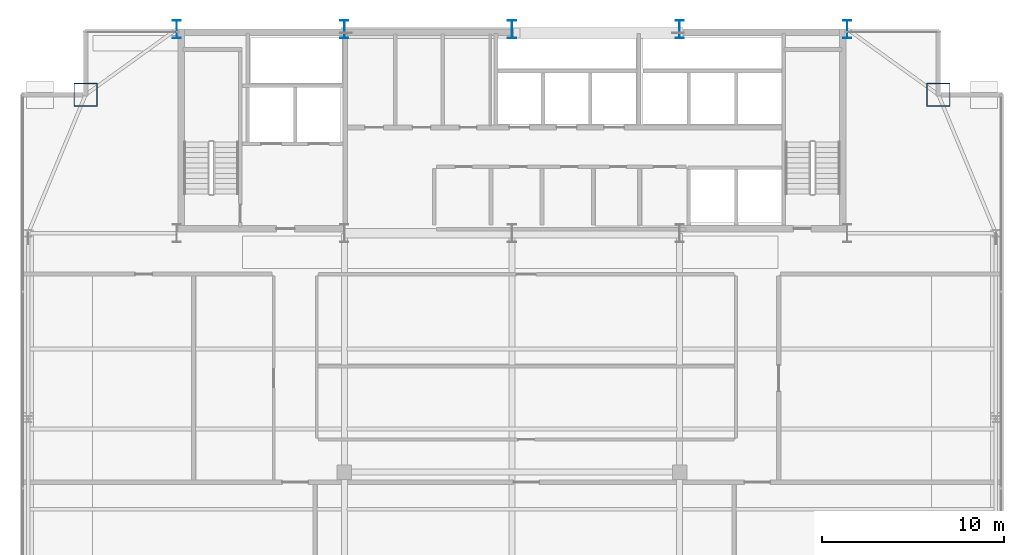
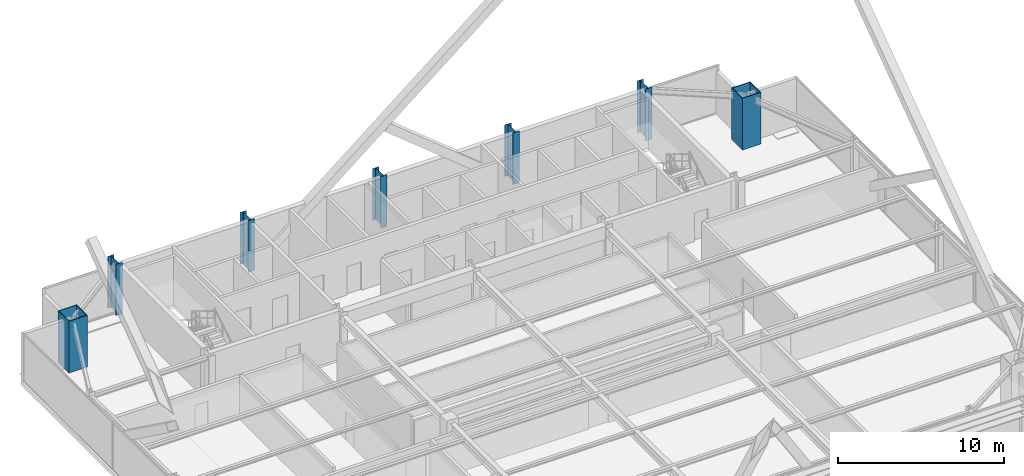
# One storey, part 3 of 33: 7 columns.
"""IFC4 building model written with IfcOpenShell, lengths in metres."""

from ifc_helpers import new_model, si_unit, direction, frame, origin, origin_2d, place, context, subcontext, project, spatial, hollow_rectangle, i_section, extrude, source, transform, mapped, material, material_profile, profile_set, type_object, type_shapes, element, save


model = new_model("IFC4")

# Units and contexts
model_context = context("Model", 3, precision=1e-05, world=origin(), true_north=direction((0.0, 1.0)))
body_context = subcontext(model_context, "Body", "Model", "MODEL_VIEW")
ifc_project = project(units=[si_unit("LENGTHUNIT", "METRE"), si_unit("AREAUNIT", "SQUARE_METRE"), si_unit("VOLUMEUNIT", "CUBIC_METRE"), si_unit("PLANEANGLEUNIT", "RADIAN"), si_unit("MASSUNIT", "GRAM", prefix="KILO")], contexts=[model_context])

# Site, building, storey
site_placement = place(None, origin())
site = spatial("IfcSite", under=ifc_project, at=site_placement, CompositionType="ELEMENT")
building_placement = place(site_placement, origin())
building = spatial("IfcBuilding", under=site, at=building_placement, Name="Varnel Quay Broadcast Tower", CompositionType="ELEMENT")
storey_placement = place(building_placement, frame((0.0, 0.0, 145.800048828125)))
storey = spatial("IfcBuildingStorey", under=building, at=storey_placement, Name="L35", CompositionType="ELEMENT", Elevation=145.800048828125)

# Columns
ifc_material = material(Name="Structural Steel CSA G40.21 350WT", Category="steel")
ifc_material_profile_1 = material_profile(ifc_material, i_section(OverallWidth=0.449951171875, OverallDepth=1.0, WebThickness=0.01611328125, FlangeThickness=0.030029296875, FilletRadius=0.01611328125, at=origin_2d()), Name="WWF1000X362")
ifc_profile_set_1 = profile_set([ifc_material_profile_1], Name="Structural Steel CSA G40.21 350WT")
column_type_1 = type_object("IfcColumnType", Name="Col_WWF1000X362", PredefinedType="COLUMN", material=ifc_profile_set_1)
shared_shape_1 = source(origin(), body_context, "Body", "SweptSolid", [
    extrude(i_section(OverallWidth=0.449951171875, OverallDepth=1.0, WebThickness=0.01611328125, FlangeThickness=0.030029296875, FilletRadius=0.01611328125, at=origin_2d()), origin(), (0.0, 0.0, 1.0), 3.800048828125),
])
type_shapes(column_type_1, [shared_shape_1])
for number, where, z_axis, x_axis, name in (
    (1, (15.60009765625, 46.800048828125, 0.0), (0.0, 0.0, 1.0), (1.0, 0.0, 0.0), "L35 Column CC-N1"),
    (2, (24.800048828125, 46.800048828125, 0.0), (0.0, 0.0, 1.0), (1.0, 0.0, 0.0), "L35 Column CC-N2"),
    (3, (34.0, 46.800048828125, 0.0), (0.0, 0.0, 1.0), (1.0, 0.0, 0.0), "L35 Column CC-N3"),
    (4, (43.199951171875, 46.800048828125, 0.0), (0.0, 0.0, 1.0), (1.0, 0.0, 0.0), "L35 Column CC-N4"),
    (5, (52.39990234375, 46.800048828125, 0.0), (0.0, 0.0, 1.0), (1.0, 0.0, 0.0), "L35 Column CC-N5"),
):
    element("IfcColumn", number, at=place(storey_placement, frame(where, z_axis=z_axis, x_axis=x_axis)), inside=storey, type_object=column_type_1, Name=name, PredefinedType="COLUMN", context=body_context, shape_type="MappedRepresentation", body=[
        mapped(shared_shape_1, transform((0.0, 0.0, 0.0), x_axis=(1.0, 0.0, 0.0), y_axis=(0.0, 1.0, 0.0), z_axis=(0.0, 0.0, 1.0), scale=1.0)),
    ])
ifc_material_profile_2 = material_profile(ifc_material, hollow_rectangle(XDim=1.300048828125, YDim=1.300048828125, WallThickness=0.050048828125, at=origin_2d()), Name="BOX1300X1300X50")
ifc_profile_set_2 = profile_set([ifc_material_profile_2], Name="Structural Steel CSA G40.21 350WT")
column_type_2 = type_object("IfcColumnType", Name="Col_BOX1300X1300X50", PredefinedType="COLUMN", material=ifc_profile_set_2)
shared_shape_2 = source(origin(), body_context, "Body", "SweptSolid", [
    extrude(hollow_rectangle(XDim=1.300048828125, YDim=1.300048828125, WallThickness=0.050048828125, at=origin_2d()), origin(), (0.0, 0.0, 1.0), 3.800048828125),
])
type_shapes(column_type_2, [shared_shape_2])
for number, where, z_axis, x_axis, name in (
    (6, (57.39990234375, 43.199951171875, 0.0), (0.0, 0.0, 1.0), (1.0, 0.0, 0.0), "L35 Column MC-NE"),
    (7, (10.60009765625, 43.199951171875, 0.0), (0.0, 0.0, 1.0), (1.0, 0.0, 0.0), "L35 Column MC-NW"),
):
    element("IfcColumn", number, at=place(storey_placement, frame(where, z_axis=z_axis, x_axis=x_axis)), inside=storey, type_object=column_type_2, Name=name, PredefinedType="COLUMN", context=body_context, shape_type="MappedRepresentation", body=[
        mapped(shared_shape_2, transform((0.0, 0.0, 0.0), x_axis=(1.0, 0.0, 0.0), y_axis=(0.0, 1.0, 0.0), z_axis=(0.0, 0.0, 1.0), scale=1.0)),
    ])

save(model, "model.ifc")
